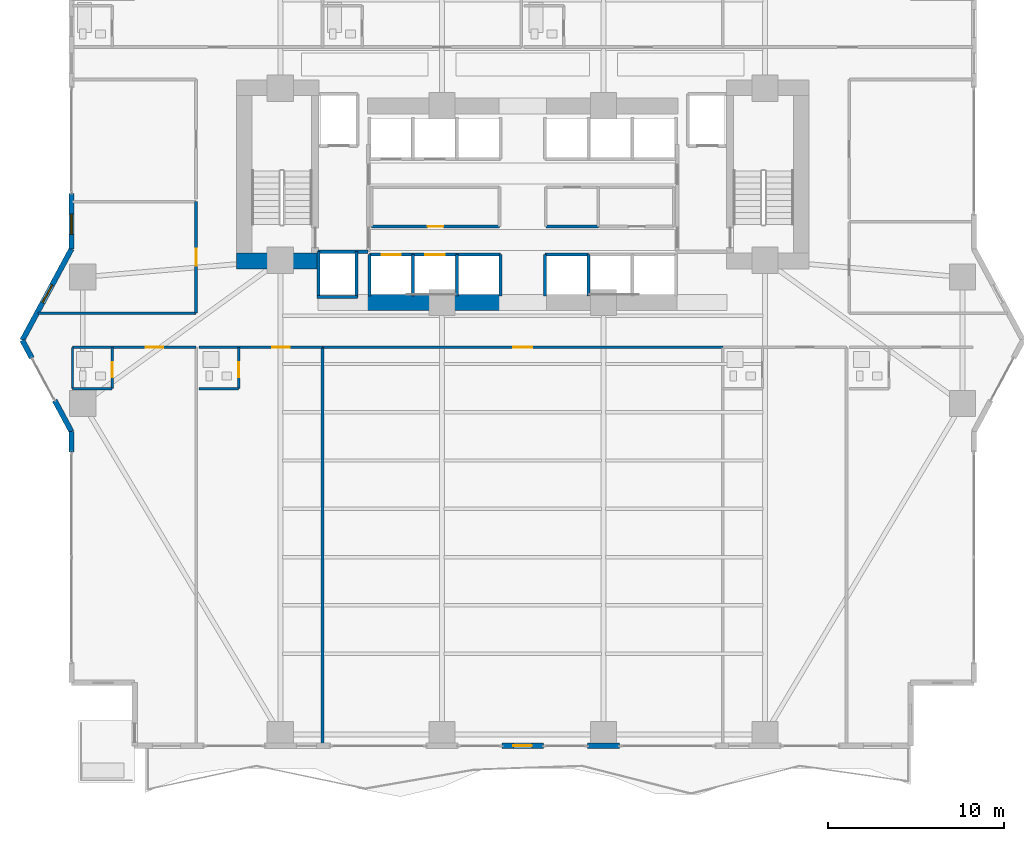
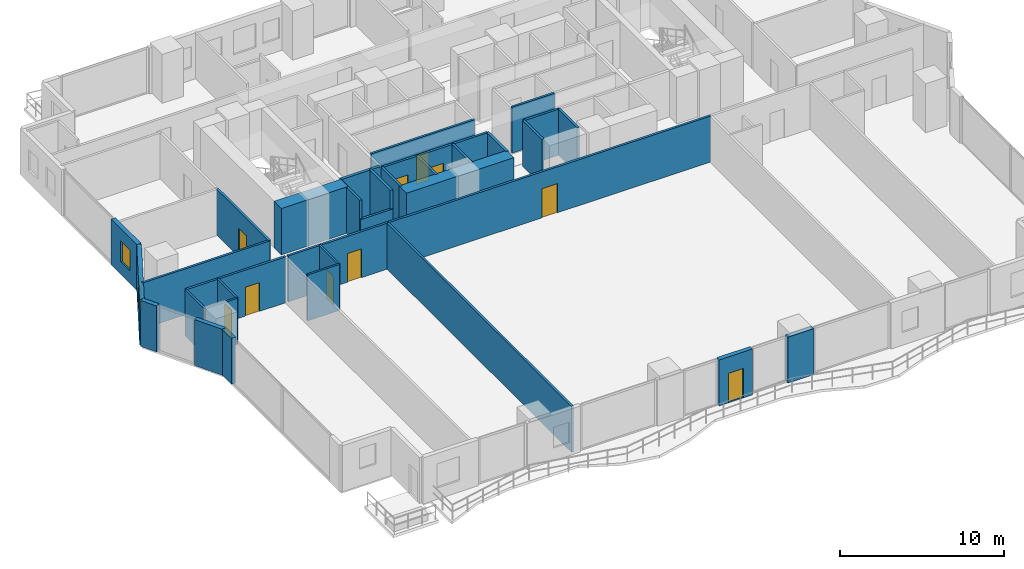
# One storey, part 19 of 28: 36 walls, 10 doors, 2 windows, 12 openings.
"""IFC4 building model written with IfcOpenShell, lengths in metres."""

from ifc_helpers import new_model, si_unit, direction, frame, frame_2d, origin, place, context, subcontext, project, spatial, rectangle, extrude, material, layer, layer_set, type_object, element, fill, save


model = new_model("IFC4")

# Units and contexts
model_context = context("Model", 3, precision=1e-05, world=origin(), true_north=direction((0.0, 1.0)))
body_context = subcontext(model_context, "Body", "Model", "MODEL_VIEW")
ifc_project = project(units=[si_unit("LENGTHUNIT", "METRE"), si_unit("AREAUNIT", "SQUARE_METRE"), si_unit("VOLUMEUNIT", "CUBIC_METRE"), si_unit("PLANEANGLEUNIT", "RADIAN"), si_unit("MASSUNIT", "GRAM", prefix="KILO")], contexts=[model_context])

# Site, building, storey
site_placement = place(None, origin())
site = spatial("IfcSite", under=ifc_project, at=site_placement, CompositionType="ELEMENT")
building_placement = place(site_placement, origin())
building = spatial("IfcBuilding", under=site, at=building_placement, Name="Zuhayl Quay Hotel", CompositionType="ELEMENT")
storey_placement = place(building_placement, frame((0.0, 0.0, 75.050048828125)))
storey = spatial("IfcBuildingStorey", under=building, at=storey_placement, Name="L18", CompositionType="ELEMENT", Elevation=75.050048828125)

# Walls
ifc_material_1 = material(Name="Concrete C70/85", Category="concrete")
ifc_layer_1 = layer(ifc_material_1, 0.89990234375, Name="Concrete C70/85", Category="concrete")
ifc_layer_set_1 = layer_set([ifc_layer_1], Name="Concrete C70/85")
wall_type_1 = type_object("IfcWallType", Name="WL_CORE_900", PredefinedType="SHEAR", material=ifc_layer_set_1)
wall_1_placement = place(storey_placement, frame((-16.31005859375, 4.52001953125, 0.0), z_axis=(0.0, 0.0, 1.0), x_axis=(1.0, 0.0, 0.0)))
element("IfcWall", 1, at=wall_1_placement, inside=storey, type_object=wall_type_1, Name="L18 Core Shear Wall CW_SW", PredefinedType="SHEAR", context=body_context, shape_type="SweptSolid", body=[
    extrude(rectangle(XDim=4.7099609375, YDim=0.89990234375, at=frame_2d((2.35498046875, 0.0))), origin(), (0.0, 0.0, 1.0), 3.4599609375),
])
wall_2_placement = place(storey_placement, frame((-8.85009765625, 2.14990234375, 0.0), z_axis=(0.0, 0.0, 1.0), x_axis=(1.0, 0.0, 0.0)))
element("IfcWall", 2, at=wall_2_placement, inside=storey, type_object=wall_type_1, Name="L18 Core Shear Wall CW_SC_W", PredefinedType="SHEAR", context=body_context, shape_type="SweptSolid", body=[
    extrude(rectangle(XDim=7.60009765625, YDim=0.89990234375, at=frame_2d((3.800048828125, 0.0))), origin(), (0.0, 0.0, 1.0), 3.429931640625),
])
ifc_material_2 = material(Name="Precast concrete C45/55", Category="concrete")
ifc_layer_2 = layer(ifc_material_2, 0.300048828125, Name="Precast concrete C45/55", Category="concrete")
ifc_layer_set_2 = layer_set([ifc_layer_2], Name="Precast concrete C45/55")
wall_type_2 = type_object("IfcWallType", Name="WL_EXT_300", PredefinedType="STANDARD", material=ifc_layer_set_2)
wall_3_placement = place(storey_placement, frame((-25.699951171875, -6.35009765625, 0.0), z_axis=(0.0, 0.0, 1.0), x_axis=(0.0, 1.0, 0.0)))
element("IfcWall", 3, at=wall_3_placement, inside=storey, type_object=wall_type_2, Name="L18 Exterior Precast Wall ENV_L18_E02_EW2", PredefinedType="STANDARD", context=body_context, shape_type="SweptSolid", body=[
    extrude(rectangle(XDim=1.150146484375, YDim=0.300048828125, at=frame_2d((0.5751953125, 0.0))), origin(), (0.0, 0.0, 1.0), 3.429931640625),
])
wall_4_placement = place(storey_placement, frame((-25.699951171875, -5.199951171875, 0.0), z_axis=(0.0, 0.0, 1.0), x_axis=(-0.474121438562, 0.88045946045, 0.0)))
element("IfcWall", 4, at=wall_4_placement, inside=storey, type_object=wall_type_2, Name="L18 Exterior Precast Wall ENV_L18_E03_EW1", PredefinedType="STANDARD", context=body_context, shape_type="SweptSolid", body=[
    extrude(rectangle(XDim=2.0205078125, YDim=0.300048828125, at=frame_2d((1.01025390625, 0.0))), origin(), (0.0, 0.0, 1.0), 3.429931640625),
])
wall_5_placement = place(storey_placement, frame((-27.954833984375, -1.012451171875, 0.0), z_axis=(0.0, 0.0, 1.0), x_axis=(-0.474099823035, 0.880471099922, 0.0)))
element("IfcWall", 5, at=wall_5_placement, inside=storey, type_object=wall_type_2, Name="L18 Exterior Precast Wall ENV_L18_E03_EW2", PredefinedType="STANDARD", context=body_context, shape_type="SweptSolid", body=[
    extrude(rectangle(XDim=1.14990234375, YDim=0.300048828125, at=frame_2d((0.574951171875, 0.0))), origin(), (0.0, 0.0, 1.0), 3.429931640625),
])

# Wall, opening, window
wall_6_placement = place(storey_placement, frame((-28.5, 0.0, 0.0), z_axis=(0.0, 0.0, 1.0), x_axis=(0.474109683532, 0.880465790352, 0.0)))
wall_6 = element("IfcWall", 6, at=wall_6_placement, inside=storey, type_object=wall_type_2, Name="L18 Exterior Precast Wall ENV_L18_E04_EW1", PredefinedType="STANDARD", context=body_context, shape_type="SweptSolid", body=[
    extrude(rectangle(XDim=5.906005859375, YDim=0.300048828125, at=frame_2d((2.953125, 0.0))), origin(), (0.0, 0.0, 1.0), 3.429931640625),
])
opening_1_placement = place(wall_6_placement, frame((2.43212890625, 0.0, 0.949951171875)))
opening_1 = element("IfcOpeningElement", 7, at=opening_1_placement, cuts=wall_6, Name="Opening W01N", PredefinedType="OPENING", context=body_context, shape_type="SweptSolid", body=[
    extrude(rectangle(XDim=1.14990234375, YDim=1.550048828125, at=frame_2d((0.574951171875, 0.77490234375))), frame((0.0, 0.159912109375, 0.0), z_axis=(0.0, -1.0, 0.0), x_axis=(1.0, 0.0, 0.0)), (0.0, 0.0, 1.0), 0.320068359375),
])
ifc_material_3 = material(Name="Dark Ceramic-Fritted Solar Glass", Category="glass")
window_type = type_object("IfcWindowType", Name="WN_NOTCH_1350", PartitioningType="SINGLE_PANEL", PredefinedType="WINDOW", material=ifc_material_3)
window_1_placement = place(opening_1_placement, origin())
window_1 = element("IfcWindow", 8, at=window_1_placement, inside=storey, type_object=window_type, Name="L18 Operable Facade Window 1-1", OverallHeight=1.550048828125, OverallWidth=1.14990234375, PartitioningType="SINGLE_PANEL", PredefinedType="WINDOW", context=body_context, shape_type="SweptSolid", body=[
    extrude(rectangle(XDim=1.14990234375, YDim=1.550048828125, at=frame_2d((0.574951171875, 0.77490234375))), frame((0.0, 0.030029296875, 0.0), z_axis=(0.0, -1.0, 0.0), x_axis=(1.0, 0.0, 0.0)), (0.0, 0.0, 1.0), 0.06005859375),
])
fill(opening_1, window_1)

wall_7_placement = place(storey_placement, frame((-25.699951171875, 5.199951171875, 0.0), z_axis=(0.0, 0.0, 1.0), x_axis=(0.0, 1.0, 0.0)))
wall_7 = element("IfcWall", 9, at=wall_7_placement, inside=storey, type_object=wall_type_2, Name="L18 Exterior Precast Wall ENV_L18_E05_EW1", PredefinedType="STANDARD", context=body_context, shape_type="SweptSolid", body=[
    extrude(rectangle(XDim=3.150146484375, YDim=0.300048828125, at=frame_2d((1.5751953125, 0.0))), origin(), (0.0, 0.0, 1.0), 3.429931640625),
])
opening_2_placement = place(wall_7_placement, frame((0.8349609375, 0.0, 0.949951171875)))
opening_2 = element("IfcOpeningElement", 10, at=opening_2_placement, cuts=wall_7, Name="Opening W01N", PredefinedType="OPENING", context=body_context, shape_type="SweptSolid", body=[
    extrude(rectangle(XDim=1.14990234375, YDim=1.550048828125, at=frame_2d((0.574951171875, 0.77490234375))), frame((0.0, 0.159912109375, 0.0), z_axis=(0.0, -1.0, 0.0), x_axis=(1.0, 0.0, 0.0)), (0.0, 0.0, 1.0), 0.320068359375),
])
window_2_placement = place(opening_2_placement, origin())
window_2 = element("IfcWindow", 11, at=window_2_placement, inside=storey, type_object=window_type, Name="L18 Operable Facade Window 1-1", OverallHeight=1.550048828125, OverallWidth=1.14990234375, PartitioningType="SINGLE_PANEL", PredefinedType="WINDOW", context=body_context, shape_type="SweptSolid", body=[
    extrude(rectangle(XDim=1.14990234375, YDim=1.550048828125, at=frame_2d((0.574951171875, 0.77490234375))), frame((0.0, 0.030029296875, 0.0), z_axis=(0.0, -1.0, 0.0), x_axis=(1.0, 0.0, 0.0)), (0.0, 0.0, 1.0), 0.06005859375),
])
fill(opening_2, window_2)

# Wall
wall_8_placement = place(storey_placement, frame((5.52001953125, -23.10009765625, 0.0), z_axis=(0.0, 0.0, 1.0), x_axis=(-1.0, 0.0, 0.0)))
element("IfcWall", 12, at=wall_8_placement, inside=storey, type_object=wall_type_2, Name="L18 Exterior Precast Wall ENV_L18_S_EW3", PredefinedType="STANDARD", context=body_context, shape_type="SweptSolid", body=[
    extrude(rectangle(XDim=1.840087890625, YDim=0.300048828125, at=frame_2d((0.919921875, 0.0))), origin(), (0.0, 0.0, 1.0), 3.429931640625),
])

# Wall, opening, door
wall_9_placement = place(storey_placement, frame((1.175048828125, -23.10009765625, 0.0), z_axis=(0.0, 0.0, 1.0), x_axis=(-1.0, 0.0, 0.0)))
wall_9 = element("IfcWall", 13, at=wall_9_placement, inside=storey, type_object=wall_type_2, Name="L18 Exterior Precast Wall ENV_L18_S_EW4", PredefinedType="STANDARD", context=body_context, shape_type="SweptSolid", body=[
    extrude(rectangle(XDim=2.35009765625, YDim=0.300048828125, at=frame_2d((1.175048828125, 0.0))), origin(), (0.0, 0.0, 1.0), 3.429931640625),
])
opening_3_placement = place(wall_9_placement, frame((0.64990234375, 0.0, 0.0)))
opening_3 = element("IfcOpeningElement", 14, at=opening_3_placement, cuts=wall_9, Name="Opening DG1", PredefinedType="OPENING", context=body_context, shape_type="SweptSolid", body=[
    extrude(rectangle(XDim=1.050048828125, YDim=2.199951171875, at=frame_2d((0.52490234375, 1.10009765625))), frame((0.0, 0.159912109375, 0.0), z_axis=(0.0, -1.0, 0.0), x_axis=(1.0, 0.0, 0.0)), (0.0, 0.0, 1.0), 0.320068359375),
])
ifc_material_4 = material(Name="Anodised Aluminium and Dark Solar Glass", Category="aluminium")
door_type_1 = type_object("IfcDoorType", Name="DR_EXT_TERR_1050", OperationType="NOTDEFINED", PredefinedType="DOOR", material=ifc_material_4)
door_1_placement = place(opening_3_placement, origin())
door_1 = element("IfcDoor", 15, at=door_1_placement, inside=storey, type_object=door_type_1, Name="L18 South Rippling Balcony Door", OperationType="SINGLE_SWING_RIGHT", OverallHeight=2.199951171875, OverallWidth=1.050048828125, PredefinedType="DOOR", context=body_context, shape_type="SweptSolid", body=[
    extrude(rectangle(XDim=1.050048828125, YDim=2.199951171875, at=frame_2d((0.52490234375, 1.10009765625))), frame((0.0, 0.02490234375, 0.0), z_axis=(0.0, -1.0, 0.0), x_axis=(1.0, 0.0, 0.0)), (0.0, 0.0, 1.0), 0.050048828125),
])
fill(opening_3, door_1)

ifc_material_5 = material(Name="Acoustic Gypsum Partition STC-58")
ifc_layer_3 = layer(ifc_material_5, 0.14990234375, Name="Acoustic Gypsum Partition STC-58")
ifc_layer_set_3 = layer_set([ifc_layer_3], Name="Acoustic Gypsum Partition STC-58")
wall_type_3 = type_object("IfcWallType", Name="WL_PART_150", PredefinedType="PARTITIONING", material=ifc_layer_set_3)
wall_10_placement = place(storey_placement, frame((-8.610107421875, 6.47998046875, 0.0), z_axis=(0.0, 0.0, 1.0), x_axis=(1.0, 0.0, 0.0)))
wall_10 = element("IfcWall", 16, at=wall_10_placement, inside=storey, type_object=wall_type_3, Name="L18 Partition IW_L18_CORE_EL_S", PredefinedType="PARTITIONING", context=body_context, shape_type="SweptSolid", body=[
    extrude(rectangle(XDim=7.2900390625, YDim=0.14990234375, at=frame_2d((3.64501953125, 0.0))), origin(), (0.0, 0.0, 1.0), 3.429931640625),
])
opening_4_placement = place(wall_10_placement, frame((3.195068359375, 0.0, 0.0)))
opening_4 = element("IfcOpeningElement", 17, at=opening_4_placement, cuts=wall_10, Name="Opening D06", PredefinedType="OPENING", context=body_context, shape_type="SweptSolid", body=[
    extrude(rectangle(XDim=0.89990234375, YDim=2.14990234375, at=frame_2d((0.449951171875, 1.074951171875))), frame((0.0, 0.0849609375, 0.0), z_axis=(0.0, -1.0, 0.0), x_axis=(1.0, 0.0, 0.0)), (0.0, 0.0, 1.0), 0.169921875),
])
ifc_material_6 = material(Name="Steel ASTM A992 Grade 50", Category="steel")
door_type_2 = type_object("IfcDoorType", Name="DR_INT_900", OperationType="NOTDEFINED", PredefinedType="DOOR", material=ifc_material_6)
door_2_placement = place(opening_4_placement, origin())
door_2 = element("IfcDoor", 18, at=door_2_placement, inside=storey, type_object=door_type_2, Name="L18 Floor Electrical Plant Room Door", OperationType="SINGLE_SWING_LEFT", OverallHeight=2.14990234375, OverallWidth=0.89990234375, PredefinedType="DOOR", context=body_context, shape_type="SweptSolid", body=[
    extrude(rectangle(XDim=0.89990234375, YDim=2.14990234375, at=frame_2d((0.449951171875, 1.074951171875))), frame((0.0, 0.02490234375, 0.0), z_axis=(0.0, -1.0, 0.0), x_axis=(1.0, 0.0, 0.0)), (0.0, 0.0, 1.0), 0.050048828125),
])
fill(opening_4, door_2)

# Walls
wall_11_placement = place(storey_placement, frame((1.320068359375, 6.47998046875, 0.0), z_axis=(0.0, 0.0, 1.0), x_axis=(1.0, 0.0, 0.0)))
element("IfcWall", 19, at=wall_11_placement, inside=storey, type_object=wall_type_3, Name="L18 Partition IW_L18_CORE_IT_S", PredefinedType="PARTITIONING", context=body_context, shape_type="SweptSolid", body=[
    extrude(rectangle(XDim=2.989990234375, YDim=0.14990234375, at=frame_2d((1.4951171875, 0.0))), origin(), (0.0, 0.0, 1.0), 3.429931640625),
])
wall_12_placement = place(storey_placement, frame((-11.39990234375, -23.02001953125, 0.0), z_axis=(0.0, 0.0, 1.0), x_axis=(0.0, 1.0, 0.0)))
element("IfcWall", 20, at=wall_12_placement, inside=storey, type_object=wall_type_3, Name="L18 Partition IW_L18_SU01B_E", PredefinedType="PARTITIONING", context=body_context, shape_type="SweptSolid", body=[
    extrude(rectangle(XDim=22.6201171875, YDim=0.14990234375, at=frame_2d((11.31005859375, 0.0))), origin(), (0.0, 0.0, 1.0), 3.429931640625),
])
wall_13_placement = place(storey_placement, frame((-27.60546875, 1.550048828125, 0.0), z_axis=(0.0, 0.0, 1.0), x_axis=(1.0, 0.0, 0.0)))
element("IfcWall", 21, at=wall_13_placement, inside=storey, type_object=wall_type_3, Name="L18 Partition IW_L18_WPROW_1_S", PredefinedType="PARTITIONING", context=body_context, shape_type="SweptSolid", body=[
    extrude(rectangle(XDim=9.00537109375, YDim=0.14990234375, at=frame_2d((4.502685546875, 0.0))), origin(), (0.0, 0.0, 1.0), 3.429931640625),
])

# Wall, opening, door
ifc_layer_4 = layer(ifc_material_5, 0.159912109375, Name="Acoustic Gypsum Partition STC-58")
ifc_layer_set_4 = layer_set([ifc_layer_4], Name="Acoustic Gypsum Partition STC-58")
wall_type_4 = type_object("IfcWallType", Name="WL_PART_CORR_160", PredefinedType="PARTITIONING", material=ifc_layer_set_4)
wall_14_placement = place(storey_placement, frame((-25.639892578125, -0.39990234375, 0.0), z_axis=(0.0, 0.0, 1.0), x_axis=(1.0, 0.0, 0.0)))
wall_14 = element("IfcWall", 22, at=wall_14_placement, inside=storey, type_object=wall_type_4, Name="L18 Partition IW_L18_SU01A_COR", PredefinedType="PARTITIONING", context=body_context, shape_type="SweptSolid", body=[
    extrude(rectangle(XDim=7.039794921875, YDim=0.159912109375, at=frame_2d((3.52001953125, 0.0))), origin(), (0.0, 0.0, 1.0), 3.429931640625),
])
opening_5_placement = place(wall_14_placement, frame((4.169921875, 0.0, 0.0)))
opening_5 = element("IfcOpeningElement", 23, at=opening_5_placement, cuts=wall_14, Name="Opening D03L", PredefinedType="OPENING", context=body_context, shape_type="SweptSolid", body=[
    extrude(rectangle(XDim=1.0, YDim=2.14990234375, at=frame_2d((0.5, 1.074951171875))), frame((0.0, 0.08984375, 0.0), z_axis=(0.0, -1.0, 0.0), x_axis=(1.0, 0.0, 0.0)), (0.0, 0.0, 1.0), 0.179931640625),
])
ifc_material_7 = material(Name="Solid Walnut Acoustic Fire Door")
door_type_3 = type_object("IfcDoorType", Name="DR_SUITE_1000", OperationType="NOTDEFINED", PredefinedType="DOOR", material=ifc_material_7)
door_3_placement = place(opening_5_placement, origin())
door_3 = element("IfcDoor", 24, at=door_3_placement, inside=storey, type_object=door_type_3, Name="L18 City-View Junior Suite L18-01A Entrance Door", OperationType="SINGLE_SWING_RIGHT", OverallHeight=2.14990234375, OverallWidth=1.0, PredefinedType="DOOR", context=body_context, shape_type="SweptSolid", body=[
    extrude(rectangle(XDim=1.0, YDim=2.14990234375, at=frame_2d((0.5, 1.074951171875))), frame((0.0, 0.02490234375, 0.0), z_axis=(0.0, -1.0, 0.0), x_axis=(1.0, 0.0, 0.0)), (0.0, 0.0, 1.0), 0.050048828125),
])
fill(opening_5, door_3)

wall_15_placement = place(storey_placement, frame((-18.43994140625, -0.39990234375, 0.0), z_axis=(0.0, 0.0, 1.0), x_axis=(1.0, 0.0, 0.0)))
wall_15 = element("IfcWall", 25, at=wall_15_placement, inside=storey, type_object=wall_type_4, Name="L18 Partition IW_L18_SU01B_COR", PredefinedType="PARTITIONING", context=body_context, shape_type="SweptSolid", body=[
    extrude(rectangle(XDim=7.0400390625, YDim=0.159912109375, at=frame_2d((3.52001953125, 0.0))), origin(), (0.0, 0.0, 1.0), 3.429931640625),
])
opening_6_placement = place(wall_15_placement, frame((4.169921875, 0.0, 0.0)))
opening_6 = element("IfcOpeningElement", 26, at=opening_6_placement, cuts=wall_15, Name="Opening D03L", PredefinedType="OPENING", context=body_context, shape_type="SweptSolid", body=[
    extrude(rectangle(XDim=1.0, YDim=2.14990234375, at=frame_2d((0.5, 1.074951171875))), frame((0.0, 0.08984375, 0.0), z_axis=(0.0, -1.0, 0.0), x_axis=(1.0, 0.0, 0.0)), (0.0, 0.0, 1.0), 0.179931640625),
])
door_4_placement = place(opening_6_placement, origin())
door_4 = element("IfcDoor", 27, at=door_4_placement, inside=storey, type_object=door_type_3, Name="L18 City-View Junior Suite L18-01B Entrance Door", OperationType="SINGLE_SWING_RIGHT", OverallHeight=2.14990234375, OverallWidth=1.0, PredefinedType="DOOR", context=body_context, shape_type="SweptSolid", body=[
    extrude(rectangle(XDim=1.0, YDim=2.14990234375, at=frame_2d((0.5, 1.074951171875))), frame((0.0, 0.02490234375, 0.0), z_axis=(0.0, -1.0, 0.0), x_axis=(1.0, 0.0, 0.0)), (0.0, 0.0, 1.0), 0.050048828125),
])
fill(opening_6, door_4)

wall_16_placement = place(storey_placement, frame((-11.39990234375, -0.39990234375, 0.0), z_axis=(0.0, 0.0, 1.0), x_axis=(1.0, 0.0, 0.0)))
wall_16 = element("IfcWall", 28, at=wall_16_placement, inside=storey, type_object=wall_type_4, Name="L18 Partition IW_L18_SSAL_1_N", PredefinedType="PARTITIONING", context=body_context, shape_type="SweptSolid", body=[
    extrude(rectangle(XDim=22.7998046875, YDim=0.159912109375, at=frame_2d((11.39990234375, 0.0))), origin(), (0.0, 0.0, 1.0), 3.429931640625),
])
opening_7_placement = place(wall_16_placement, frame((10.860107421875, 0.0, 0.0)))
opening_7 = element("IfcOpeningElement", 29, at=opening_7_placement, cuts=wall_16, Name="Opening D05A", PredefinedType="OPENING", context=body_context, shape_type="SweptSolid", body=[
    extrude(rectangle(XDim=1.080078125, YDim=2.179931640625, at=frame_2d((0.5400390625, 1.08984375))), frame((0.0, 0.08984375, 0.0), z_axis=(0.0, -1.0, 0.0), x_axis=(1.0, 0.0, 0.0)), (0.0, 0.0, 1.0), 0.179931640625),
])
door_type_4 = type_object("IfcDoorType", Name="DR_INT_1100", OperationType="NOTDEFINED", PredefinedType="DOOR", material=ifc_material_7)
door_5_placement = place(opening_7_placement, origin())
door_5 = element("IfcDoor", 30, at=door_5_placement, inside=storey, type_object=door_type_4, Name="L18 South Sunset Salon L18 Door", OperationType="SINGLE_SWING_LEFT", OverallHeight=2.179931640625, OverallWidth=1.080078125, PredefinedType="DOOR", context=body_context, shape_type="SweptSolid", body=[
    extrude(rectangle(XDim=1.080078125, YDim=2.179931640625, at=frame_2d((0.5400390625, 1.08984375))), frame((0.0, 0.02490234375, 0.0), z_axis=(0.0, -1.0, 0.0), x_axis=(1.0, 0.0, 0.0)), (0.0, 0.0, 1.0), 0.050048828125),
])
fill(opening_7, door_5)

wall_17_placement = place(storey_placement, frame((-18.60009765625, 1.550048828125, 0.0), z_axis=(0.0, 0.0, 1.0), x_axis=(0.0, 1.0, 0.0)))
wall_17 = element("IfcWall", 31, at=wall_17_placement, inside=storey, type_object=wall_type_4, Name="L18 Partition IW_L18_WPROW_1_E", PredefinedType="PARTITIONING", context=body_context, shape_type="SweptSolid", body=[
    extrude(rectangle(XDim=6.349853515625, YDim=0.159912109375, at=frame_2d((3.1748046875, 0.0))), origin(), (0.0, 0.0, 1.0), 3.429931640625),
])
opening_8_placement = place(wall_17_placement, frame((2.699951171875, 0.0, 0.0)))
opening_8 = element("IfcOpeningElement", 32, at=opening_8_placement, cuts=wall_17, Name="Opening D03", PredefinedType="OPENING", context=body_context, shape_type="SweptSolid", body=[
    extrude(rectangle(XDim=0.949951171875, YDim=2.14990234375, at=frame_2d((0.47509765625, 1.074951171875))), frame((0.0, 0.08984375, 0.0), z_axis=(0.0, -1.0, 0.0), x_axis=(1.0, 0.0, 0.0)), (0.0, 0.0, 1.0), 0.179931640625),
])
door_type_5 = type_object("IfcDoorType", Name="DR_SUITE_950", OperationType="NOTDEFINED", PredefinedType="DOOR", material=ifc_material_7)
door_6_placement = place(opening_8_placement, origin())
door_6 = element("IfcDoor", 33, at=door_6_placement, inside=storey, type_object=door_type_5, Name="L18 West Prow Office L18 Door", OperationType="SINGLE_SWING_RIGHT", OverallHeight=2.14990234375, OverallWidth=0.949951171875, PredefinedType="DOOR", context=body_context, shape_type="SweptSolid", body=[
    extrude(rectangle(XDim=0.949951171875, YDim=2.14990234375, at=frame_2d((0.47509765625, 1.074951171875))), frame((0.0, 0.02490234375, 0.0), z_axis=(0.0, -1.0, 0.0), x_axis=(1.0, 0.0, 0.0)), (0.0, 0.0, 1.0), 0.050048828125),
])
fill(opening_8, door_6)

ifc_material_8 = material(Name="Moisture-Resistant Sanitarychase Gypsum")
ifc_layer_5 = layer(ifc_material_8, 0.135009765625, Name="Moisture-Resistant Sanitarychase Gypsum")
ifc_layer_set_5 = layer_set([ifc_layer_5], Name="Moisture-Resistant Sanitarychase Gypsum")
wall_type_5 = type_object("IfcWallType", Name="WL_PART_PLUMB_150", PredefinedType="PLUMBINGWALL", material=ifc_layer_set_5)
wall_18_placement = place(storey_placement, frame((-23.3798828125, -2.760009765625, 0.0), z_axis=(0.0, 0.0, 1.0), x_axis=(0.0, 1.0, 0.0)))
wall_18 = element("IfcWall", 34, at=wall_18_placement, inside=storey, type_object=wall_type_5, Name="L18 Partition IW_L18_SU01A_BE", PredefinedType="PLUMBINGWALL", context=body_context, shape_type="SweptSolid", body=[
    extrude(rectangle(XDim=2.360107421875, YDim=0.135009765625, at=frame_2d((1.18017578125, 0.0))), origin(), (0.0, 0.0, 1.0), 3.429931640625),
])
opening_9_placement = place(wall_18_placement, frame((0.64990234375, 0.0, 0.0)))
opening_9 = element("IfcOpeningElement", 35, at=opening_9_placement, cuts=wall_18, Name="Opening D04", PredefinedType="OPENING", context=body_context, shape_type="SweptSolid", body=[
    extrude(rectangle(XDim=0.85009765625, YDim=2.10009765625, at=frame_2d((0.425048828125, 1.050048828125))), frame((0.0, 0.077392578125, 0.0), z_axis=(0.0, -1.0, 0.0), x_axis=(1.0, 0.0, 0.0)), (0.0, 0.0, 1.0), 0.155029296875),
])
ifc_material_9 = material(Name="Moisture-Resistant Walnut Veneer")
door_type_6 = type_object("IfcDoorType", Name="DR_BATH_850", OperationType="NOTDEFINED", PredefinedType="DOOR", material=ifc_material_9)
door_7_placement = place(opening_9_placement, origin())
door_7 = element("IfcDoor", 36, at=door_7_placement, inside=storey, type_object=door_type_6, Name="L18 City-View Junior Suite L18-01A En-Suite Door", OperationType="SINGLE_SWING_LEFT", OverallHeight=2.10009765625, OverallWidth=0.85009765625, PredefinedType="DOOR", context=body_context, shape_type="SweptSolid", body=[
    extrude(rectangle(XDim=0.85009765625, YDim=2.10009765625, at=frame_2d((0.425048828125, 1.050048828125))), frame((0.0, 0.02490234375, 0.0), z_axis=(0.0, -1.0, 0.0), x_axis=(1.0, 0.0, 0.0)), (0.0, 0.0, 1.0), 0.050048828125),
])
fill(opening_9, door_7)

wall_19_placement = place(storey_placement, frame((-16.179931640625, -2.760009765625, 0.0), z_axis=(0.0, 0.0, 1.0), x_axis=(0.0, 1.0, 0.0)))
wall_19 = element("IfcWall", 37, at=wall_19_placement, inside=storey, type_object=wall_type_5, Name="L18 Partition IW_L18_SU01B_BE", PredefinedType="PLUMBINGWALL", context=body_context, shape_type="SweptSolid", body=[
    extrude(rectangle(XDim=2.360107421875, YDim=0.135009765625, at=frame_2d((1.18017578125, 0.0))), origin(), (0.0, 0.0, 1.0), 3.429931640625),
])
opening_10_placement = place(wall_19_placement, frame((0.64990234375, 0.0, 0.0)))
opening_10 = element("IfcOpeningElement", 38, at=opening_10_placement, cuts=wall_19, Name="Opening D04", PredefinedType="OPENING", context=body_context, shape_type="SweptSolid", body=[
    extrude(rectangle(XDim=0.85009765625, YDim=2.10009765625, at=frame_2d((0.425048828125, 1.050048828125))), frame((0.0, 0.077392578125, 0.0), z_axis=(0.0, -1.0, 0.0), x_axis=(1.0, 0.0, 0.0)), (0.0, 0.0, 1.0), 0.155029296875),
])
door_8_placement = place(opening_10_placement, origin())
door_8 = element("IfcDoor", 39, at=door_8_placement, inside=storey, type_object=door_type_6, Name="L18 City-View Junior Suite L18-01B En-Suite Door", OperationType="SINGLE_SWING_LEFT", OverallHeight=2.10009765625, OverallWidth=0.85009765625, PredefinedType="DOOR", context=body_context, shape_type="SweptSolid", body=[
    extrude(rectangle(XDim=0.85009765625, YDim=2.10009765625, at=frame_2d((0.425048828125, 1.050048828125))), frame((0.0, 0.02490234375, 0.0), z_axis=(0.0, -1.0, 0.0), x_axis=(1.0, 0.0, 0.0)), (0.0, 0.0, 1.0), 0.050048828125),
])
fill(opening_10, door_8)

# Walls
wall_20_placement = place(storey_placement, frame((-25.639892578125, -2.760009765625, 0.0), z_axis=(0.0, 0.0, 1.0), x_axis=(1.0, 0.0, 0.0)))
element("IfcWall", 40, at=wall_20_placement, inside=storey, type_object=wall_type_5, Name="L18 Partition IW_L18_SU01A_BS", PredefinedType="PLUMBINGWALL", context=body_context, shape_type="SweptSolid", body=[
    extrude(rectangle(XDim=2.260009765625, YDim=0.135009765625, at=frame_2d((1.1298828125, 0.0))), origin(), (0.0, 0.0, 1.0), 3.429931640625),
])
wall_21_placement = place(storey_placement, frame((-25.639892578125, -2.760009765625, 0.0), z_axis=(0.0, 0.0, 1.0), x_axis=(0.0, 1.0, 0.0)))
element("IfcWall", 41, at=wall_21_placement, inside=storey, type_object=wall_type_5, Name="L18 Partition IW_L18_SU01A_BW", PredefinedType="PLUMBINGWALL", context=body_context, shape_type="SweptSolid", body=[
    extrude(rectangle(XDim=2.360107421875, YDim=0.135009765625, at=frame_2d((1.18017578125, 0.0))), origin(), (0.0, 0.0, 1.0), 3.429931640625),
])
wall_22_placement = place(storey_placement, frame((-18.43994140625, -2.760009765625, 0.0), z_axis=(0.0, 0.0, 1.0), x_axis=(1.0, 0.0, 0.0)))
element("IfcWall", 42, at=wall_22_placement, inside=storey, type_object=wall_type_5, Name="L18 Partition IW_L18_SU01B_BS", PredefinedType="PLUMBINGWALL", context=body_context, shape_type="SweptSolid", body=[
    extrude(rectangle(XDim=2.260009765625, YDim=0.135009765625, at=frame_2d((1.1298828125, 0.0))), origin(), (0.0, 0.0, 1.0), 3.429931640625),
])

# Wall, opening, door
ifc_material_10 = material(Name="Gypsum Fireboard Assembly EI-90")
ifc_layer_6 = layer(ifc_material_10, 0.1650390625, Name="Gypsum Fireboard Assembly EI-90")
ifc_layer_set_6 = layer_set([ifc_layer_6], Name="Gypsum Fireboard Assembly EI-90")
wall_type_6 = type_object("IfcWallType", Name="WL_PART_SHAFT_160", PredefinedType="PARTITIONING", material=ifc_layer_set_6)
wall_23_placement = place(storey_placement, frame((-8.72998046875, 4.8798828125, 0.0), z_axis=(0.0, 0.0, 1.0), x_axis=(1.0, 0.0, 0.0)))
wall_23 = element("IfcWall", 43, at=wall_23_placement, inside=storey, type_object=wall_type_6, Name="L18 Partition IW_L18_SH_LP1_F", PredefinedType="PARTITIONING", context=body_context, shape_type="SweptSolid", body=[
    extrude(rectangle(XDim=2.47998046875, YDim=0.1650390625, at=frame_2d((1.239990234375, 0.0))), origin(), (0.0, 0.0, 1.0), 3.429931640625),
])
opening_11_placement = place(wall_23_placement, frame((0.68994140625, 0.0, 0.0)))
opening_11 = element("IfcOpeningElement", 44, at=opening_11_placement, cuts=wall_23, Name="Opening LD1", PredefinedType="OPENING", context=body_context, shape_type="SweptSolid", body=[
    extrude(rectangle(XDim=1.10009765625, YDim=2.25, at=frame_2d((0.550048828125, 1.125))), frame((0.0, 0.092529296875, 0.0), z_axis=(0.0, -1.0, 0.0), x_axis=(1.0, 0.0, 0.0)), (0.0, 0.0, 1.0), 0.18505859375),
])
ifc_material_11 = material(Name="Brushed Stainless Steel", Category="steel")
door_type_7 = type_object("IfcDoorType", Name="DR_LIFT_PASS_1100", OperationType="SLIDING_TO_LEFT", PredefinedType="DOOR", material=ifc_material_11)
door_9_placement = place(opening_11_placement, origin())
door_9 = element("IfcDoor", 45, at=door_9_placement, inside=storey, type_object=door_type_7, Name="L18 Lift LP1 Sliding Landing Door", OperationType="SLIDING_TO_LEFT", OverallHeight=2.25, OverallWidth=1.10009765625, PredefinedType="DOOR", context=body_context, shape_type="SweptSolid", body=[
    extrude(rectangle(XDim=1.10009765625, YDim=2.25, at=frame_2d((0.550048828125, 1.125))), frame((0.0, 0.02490234375, 0.0), z_axis=(0.0, -1.0, 0.0), x_axis=(1.0, 0.0, 0.0)), (0.0, 0.0, 1.0), 0.050048828125),
])
fill(opening_11, door_9)

wall_24_placement = place(storey_placement, frame((-6.25, 4.8798828125, 0.0), z_axis=(0.0, 0.0, 1.0), x_axis=(1.0, 0.0, 0.0)))
wall_24 = element("IfcWall", 46, at=wall_24_placement, inside=storey, type_object=wall_type_6, Name="L18 Partition IW_L18_SH_LP2_F", PredefinedType="PARTITIONING", context=body_context, shape_type="SweptSolid", body=[
    extrude(rectangle(XDim=2.5, YDim=0.1650390625, at=frame_2d((1.25, 0.0))), origin(), (0.0, 0.0, 1.0), 3.429931640625),
])
opening_12_placement = place(wall_24_placement, frame((0.699951171875, 0.0, 0.0)))
opening_12 = element("IfcOpeningElement", 47, at=opening_12_placement, cuts=wall_24, Name="Opening LD1", PredefinedType="OPENING", context=body_context, shape_type="SweptSolid", body=[
    extrude(rectangle(XDim=1.10009765625, YDim=2.25, at=frame_2d((0.550048828125, 1.125))), frame((0.0, 0.092529296875, 0.0), z_axis=(0.0, -1.0, 0.0), x_axis=(1.0, 0.0, 0.0)), (0.0, 0.0, 1.0), 0.18505859375),
])
door_10_placement = place(opening_12_placement, origin())
door_10 = element("IfcDoor", 48, at=door_10_placement, inside=storey, type_object=door_type_7, Name="L18 Lift LP2 Sliding Landing Door", OperationType="SLIDING_TO_LEFT", OverallHeight=2.25, OverallWidth=1.10009765625, PredefinedType="DOOR", context=body_context, shape_type="SweptSolid", body=[
    extrude(rectangle(XDim=1.10009765625, YDim=2.25, at=frame_2d((0.550048828125, 1.125))), frame((0.0, 0.02490234375, 0.0), z_axis=(0.0, -1.0, 0.0), x_axis=(1.0, 0.0, 0.0)), (0.0, 0.0, 1.0), 0.050048828125),
])
fill(opening_12, door_10)

# Walls
for number, where, z_axis, x_axis, name in (
    (49, (-8.72998046875, 2.52001953125, 0.0), (0.0, 0.0, 1.0), (0.0, 1.0, 0.0), "L18 Partition IW_L18_SH_LP1_W"),
    (50, (-6.25, 2.52001953125, 0.0), (0.0, 0.0, 1.0), (0.0, 1.0, 0.0), "L18 Partition IW_L18_SH_LP1_E"),
    (51, (-3.75, 2.52001953125, 0.0), (0.0, 0.0, 1.0), (0.0, 1.0, 0.0), "L18 Partition IW_L18_SH_LP2_E"),
):
    element("IfcWall", number, at=place(storey_placement, frame(where, z_axis=z_axis, x_axis=x_axis)), inside=storey, type_object=wall_type_6, Name=name, PredefinedType="PARTITIONING", context=body_context, shape_type="SweptSolid", body=[
        extrude(rectangle(XDim=2.35986328125, YDim=0.1650390625, at=frame_2d((1.179931640625, 0.0))), origin(), (0.0, 0.0, 1.0), 3.429931640625),
    ])
wall_25_placement = place(storey_placement, frame((-3.75, 4.8798828125, 0.0), z_axis=(0.0, 0.0, 1.0), x_axis=(1.0, 0.0, 0.0)))
element("IfcWall", 52, at=wall_25_placement, inside=storey, type_object=wall_type_6, Name="L18 Partition IW_L18_SH_MP1_F", PredefinedType="PARTITIONING", context=body_context, shape_type="SweptSolid", body=[
    extrude(rectangle(XDim=2.47998046875, YDim=0.1650390625, at=frame_2d((1.239990234375, 0.0))), origin(), (0.0, 0.0, 1.0), 3.429931640625),
])
wall_26_placement = place(storey_placement, frame((-1.27001953125, 2.52001953125, 0.0), z_axis=(0.0, 0.0, 1.0), x_axis=(0.0, 1.0, 0.0)))
element("IfcWall", 53, at=wall_26_placement, inside=storey, type_object=wall_type_6, Name="L18 Partition IW_L18_SH_MP1_E", PredefinedType="PARTITIONING", context=body_context, shape_type="SweptSolid", body=[
    extrude(rectangle(XDim=2.35986328125, YDim=0.1650390625, at=frame_2d((1.179931640625, 0.0))), origin(), (0.0, 0.0, 1.0), 3.429931640625),
])
wall_27_placement = place(storey_placement, frame((1.27001953125, 4.8798828125, 0.0), z_axis=(0.0, 0.0, 1.0), x_axis=(1.0, 0.0, 0.0)))
element("IfcWall", 54, at=wall_27_placement, inside=storey, type_object=wall_type_6, Name="L18 Partition IW_L18_SH_MP2_F", PredefinedType="PARTITIONING", context=body_context, shape_type="SweptSolid", body=[
    extrude(rectangle(XDim=2.47998046875, YDim=0.1650390625, at=frame_2d((1.239990234375, 0.0))), origin(), (0.0, 0.0, 1.0), 3.429931640625),
])
for number, where, z_axis, x_axis, name in (
    (55, (1.27001953125, 2.52001953125, 0.0), (0.0, 0.0, 1.0), (0.0, 1.0, 0.0), "L18 Partition IW_L18_SH_MP2_W"),
    (56, (3.75, 2.52001953125, 0.0), (0.0, 0.0, 1.0), (0.0, 1.0, 0.0), "L18 Partition IW_L18_SH_MP2_E"),
):
    element("IfcWall", number, at=place(storey_placement, frame(where, z_axis=z_axis, x_axis=x_axis)), inside=storey, type_object=wall_type_6, Name=name, PredefinedType="PARTITIONING", context=body_context, shape_type="SweptSolid", body=[
        extrude(rectangle(XDim=2.35986328125, YDim=0.1650390625, at=frame_2d((1.179931640625, 0.0))), origin(), (0.0, 0.0, 1.0), 3.429931640625),
    ])
wall_28_placement = place(storey_placement, frame((-11.6298828125, 2.469970703125, 0.0), z_axis=(0.0, 0.0, 1.0), x_axis=(0.0, 1.0, 0.0)))
element("IfcWall", 57, at=wall_28_placement, inside=storey, type_object=wall_type_6, Name="L18 Partition IW_L18_RISER_W", PredefinedType="PARTITIONING", context=body_context, shape_type="SweptSolid", body=[
    extrude(rectangle(XDim=2.580078125, YDim=0.1650390625, at=frame_2d((1.2900390625, 0.0))), origin(), (0.0, 0.0, 1.0), 3.429931640625),
])
wall_29_placement = place(storey_placement, frame((-11.7099609375, 2.469970703125, 0.0), z_axis=(0.0, 0.0, 1.0), x_axis=(1.0, 0.0, 0.0)))
element("IfcWall", 58, at=wall_29_placement, inside=storey, type_object=wall_type_6, Name="L18 Partition IW_L18_RISER_S", PredefinedType="PARTITIONING", context=body_context, shape_type="SweptSolid", body=[
    extrude(rectangle(XDim=2.31005859375, YDim=0.1650390625, at=frame_2d((1.155029296875, 0.0))), origin(), (0.0, 0.0, 1.0), 2.030029296875),
])
ifc_layer_7 = layer(ifc_material_10, 0.179931640625, Name="Gypsum Fireboard Assembly EI-90")
ifc_layer_set_7 = layer_set([ifc_layer_7], Name="Gypsum Fireboard Assembly EI-90")
wall_type_7 = type_object("IfcWallType", Name="WL_PART_SHAFT_180", PredefinedType="PARTITIONING", material=ifc_layer_set_7)
wall_30_placement = place(storey_placement, frame((-9.469970703125, 2.449951171875, 0.0), z_axis=(0.0, 0.0, 1.0), x_axis=(0.0, 1.0, 0.0)))
element("IfcWall", 59, at=wall_30_placement, inside=storey, type_object=wall_type_7, Name="L18 Partition IW_L18_RISER_E", PredefinedType="PARTITIONING", context=body_context, shape_type="SweptSolid", body=[
    extrude(rectangle(XDim=2.60009765625, YDim=0.179931640625, at=frame_2d((1.300048828125, 0.0))), origin(), (0.0, 0.0, 1.0), 3.429931640625),
])
ifc_material_12 = material(Name="Gypsum Fireboard Assembly EI-120")
ifc_layer_8 = layer(ifc_material_12, 0.199951171875, Name="Gypsum Fireboard Assembly EI-120")
ifc_layer_set_8 = layer_set([ifc_layer_8], Name="Gypsum Fireboard Assembly EI-120")
wall_type_8 = type_object("IfcWallType", Name="WL_PART_SHAFT_200", PredefinedType="PARTITIONING", material=ifc_layer_set_8)
wall_31_placement = place(storey_placement, frame((-11.64990234375, 5.050048828125, 0.0), z_axis=(0.0, 0.0, 1.0), x_axis=(1.0, 0.0, 0.0)))
element("IfcWall", 60, at=wall_31_placement, inside=storey, type_object=wall_type_8, Name="L18 Partition IW_L18_FSAE_W_S", PredefinedType="PARTITIONING", context=body_context, shape_type="SweptSolid", body=[
    extrude(rectangle(XDim=2.849853515625, YDim=0.199951171875, at=frame_2d((1.4248046875, 0.0))), origin(), (0.0, 0.0, 1.0), 3.429931640625),
])

save(model, "model.ifc")
